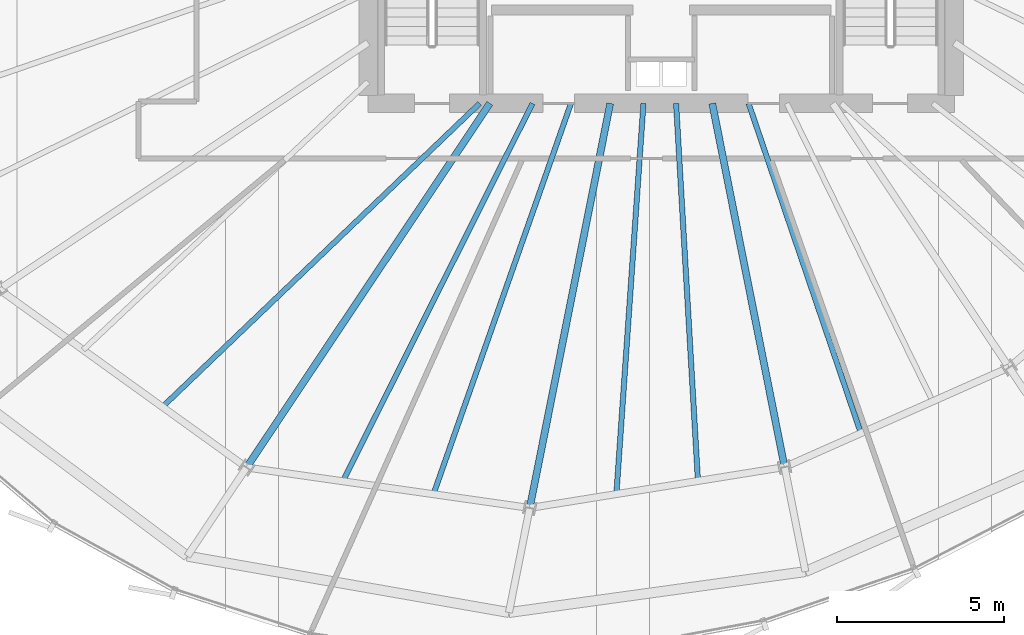
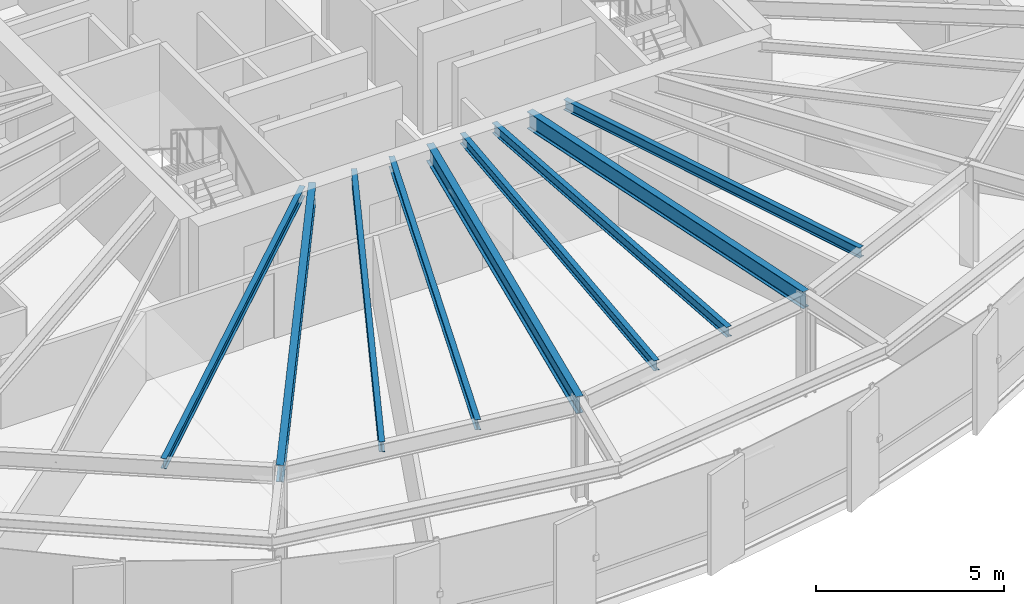
# One storey, part 7 of 32: 9 beams.
"""IFC4 building model written with IfcOpenShell, lengths in metres."""

from ifc_helpers import new_model, si_unit, direction, frame, origin, origin_2d, place, context, subcontext, project, spatial, i_section, extrude, source, transform, mapped, material, material_profile, profile_set, type_object, element, save


model = new_model("IFC4")

# Units and contexts
model_context = context("Model", 3, precision=1e-05, world=origin(), true_north=direction((0.0, 1.0)))
body_context = subcontext(model_context, "Body", "Model", "MODEL_VIEW")
ifc_project = project(units=[si_unit("LENGTHUNIT", "METRE"), si_unit("AREAUNIT", "SQUARE_METRE"), si_unit("VOLUMEUNIT", "CUBIC_METRE"), si_unit("PLANEANGLEUNIT", "RADIAN"), si_unit("MASSUNIT", "GRAM", prefix="KILO"), si_unit("THERMODYNAMICTEMPERATUREUNIT", "KELVIN")], contexts=[model_context])

# Site, building, storey
site_placement = place(None, origin())
site = spatial("IfcSite", under=ifc_project, at=site_placement, CompositionType="ELEMENT")
building_placement = place(site_placement, origin())
building = spatial("IfcBuilding", under=site, at=building_placement, Name="Kethvar Cultural Tower", CompositionType="ELEMENT")
storey_placement = place(building_placement, frame((0.0, 0.0, 160.75)))
storey = spatial("IfcBuildingStorey", under=building, at=storey_placement, Name="L41", CompositionType="ELEMENT", Elevation=160.75)

# Beams
ifc_material = material(Name="Steel S355J2", Category="steel")
ifc_material_profile_1 = material_profile(ifc_material, i_section(OverallWidth=0.2099609375, OverallDepth=0.550048828125, WebThickness=0.010986328125, FlangeThickness=0.01708984375, FilletRadius=0.02392578125, at=origin_2d()), Name="Steel S355J2 — IPE550")
ifc_profile_set_1 = profile_set([ifc_material_profile_1], Name="Steel S355J2 — IPE550")
beam_type_1 = type_object("IfcBeamType", Name="BM-IPE550", PredefinedType="BEAM", material=ifc_profile_set_1)
shared_shape_1 = source(origin(), body_context, "Body", "SweptSolid", [
    extrude(i_section(OverallWidth=0.2099609375, OverallDepth=0.550048828125, WebThickness=0.010986328125, FlangeThickness=0.01708984375, FilletRadius=0.02392578125, at=origin_2d()), origin(), (0.0, 0.0, 1.0), 13.147216796875),
])
beam_1_placement = place(storey_placement, frame((41.655029296875, 20.10009765625, 3.02294921875), z_axis=(-0.555565525446, -0.831472757783, 0.0), x_axis=(0.831472757783, -0.555565525446, 0.0)))
element("IfcBeam", 1, at=beam_1_placement, inside=storey, type_object=beam_type_1, Name="L41 Primary Radial Beam RB-11", PredefinedType="BEAM", context=body_context, shape_type="MappedRepresentation", body=[
    mapped(shared_shape_1, transform((0.0, 0.0, 0.0), scale=1.0)),
])
shared_shape_2 = source(origin(), body_context, "Body", "SweptSolid", [
    extrude(i_section(OverallWidth=0.2099609375, OverallDepth=0.550048828125, WebThickness=0.010986328125, FlangeThickness=0.01708984375, FilletRadius=0.02392578125, at=origin_2d()), origin(), (0.0, 0.0, 1.0), 12.384521484375),
])
beam_2_placement = place(storey_placement, frame((45.268310546875, 20.10009765625, 3.02294921875), z_axis=(-0.195084858678, -0.980786367113, 0.0), x_axis=(0.980786367113, -0.195084858678, 0.0)))
element("IfcBeam", 2, at=beam_2_placement, inside=storey, type_object=beam_type_1, Name="L41 Primary Radial Beam RB-12", PredefinedType="BEAM", context=body_context, shape_type="MappedRepresentation", body=[
    mapped(shared_shape_2, transform((0.0, 0.0, 0.0), scale=1.0)),
])
shared_shape_3 = source(origin(), body_context, "Body", "SweptSolid", [
    extrude(i_section(OverallWidth=0.2099609375, OverallDepth=0.550048828125, WebThickness=0.010986328125, FlangeThickness=0.01708984375, FilletRadius=0.02392578125, at=origin_2d()), origin(), (0.0, 0.0, 1.0), 11.131591796875),
])
beam_3_placement = place(storey_placement, frame((48.33154296875, 20.10009765625, 3.02294921875), z_axis=(0.195107998266, -0.980781764213, 0.0), x_axis=(0.980781764213, 0.195107998266, 0.0)))
element("IfcBeam", 3, at=beam_3_placement, inside=storey, type_object=beam_type_1, Name="L41 Primary Radial Beam RB-13", PredefinedType="BEAM", context=body_context, shape_type="MappedRepresentation", body=[
    mapped(shared_shape_3, transform((0.0, 0.0, 0.0), scale=1.0)),
])
ifc_material_profile_2 = material_profile(ifc_material, i_section(OverallWidth=0.159912109375, OverallDepth=0.330078125, WebThickness=0.007568359375, FlangeThickness=0.011474609375, FilletRadius=0.01806640625, at=origin_2d()), Name="Steel S355J2 — IPE330")
ifc_profile_set_2 = profile_set([ifc_material_profile_2], Name="Steel S355J2 — IPE330")
beam_type_2 = type_object("IfcBeamType", Name="BM-J330", PredefinedType="JOIST", material=ifc_profile_set_2)
shared_shape_4 = source(origin(), body_context, "Body", "SweptSolid", [
    extrude(i_section(OverallWidth=0.159912109375, OverallDepth=0.330078125, WebThickness=0.007568359375, FlangeThickness=0.011474609375, FilletRadius=0.01806640625, at=origin_2d()), origin(), (0.0, 0.0, 1.0), 13.1826171875),
])
beam_4_placement = place(storey_placement, frame((41.35009765625, 20.10009765625, 3.133056640625), z_axis=(-0.722573880181, -0.691293705801, 0.0), x_axis=(0.691293705801, -0.722573880181, 0.0)))
element("IfcBeam", 4, at=beam_4_placement, inside=storey, type_object=beam_type_2, Name="L41 Composite Floor Joist J-10B", PredefinedType="JOIST", context=body_context, shape_type="MappedRepresentation", body=[
    mapped(shared_shape_4, transform((0.0, 0.0, 0.0), scale=1.0)),
])
shared_shape_5 = source(origin(), body_context, "Body", "SweptSolid", [
    extrude(i_section(OverallWidth=0.159912109375, OverallDepth=0.330078125, WebThickness=0.007568359375, FlangeThickness=0.011474609375, FilletRadius=0.01806640625, at=origin_2d()), origin(), (0.0, 0.0, 1.0), 12.693603515625),
])
beam_5_placement = place(storey_placement, frame((42.935302734375, 20.10009765625, 3.133056640625), z_axis=(-0.448582495233, -0.893741430712, 0.0), x_axis=(0.893741430712, -0.448582495233, 0.0)))
element("IfcBeam", 5, at=beam_5_placement, inside=storey, type_object=beam_type_2, Name="L41 Composite Floor Joist J-11A", PredefinedType="JOIST", context=body_context, shape_type="MappedRepresentation", body=[
    mapped(shared_shape_5, transform((0.0, 0.0, 0.0), scale=1.0)),
])
shared_shape_6 = source(origin(), body_context, "Body", "SweptSolid", [
    extrude(i_section(OverallWidth=0.159912109375, OverallDepth=0.330078125, WebThickness=0.007568359375, FlangeThickness=0.011474609375, FilletRadius=0.01806640625, at=origin_2d()), origin(), (0.0, 0.0, 1.0), 12.4384765625),
])
beam_6_placement = place(storey_placement, frame((44.090576171875, 20.10009765625, 3.133056640625), z_axis=(-0.331923676994, -0.943306245421, 0.0), x_axis=(0.943306245421, -0.331923676994, 0.0)))
element("IfcBeam", 6, at=beam_6_placement, inside=storey, type_object=beam_type_2, Name="L41 Composite Floor Joist J-11B", PredefinedType="JOIST", context=body_context, shape_type="MappedRepresentation", body=[
    mapped(shared_shape_6, transform((0.0, 0.0, 0.0), scale=1.0)),
])
shared_shape_7 = source(origin(), body_context, "Body", "SweptSolid", [
    extrude(i_section(OverallWidth=0.159912109375, OverallDepth=0.330078125, WebThickness=0.007568359375, FlangeThickness=0.011474609375, FilletRadius=0.01806640625, at=origin_2d()), origin(), (0.0, 0.0, 1.0), 11.7568359375),
])
beam_7_placement = place(storey_placement, frame((46.266357421875, 20.10009765625, 3.133056640625), z_axis=(-0.069129203877, -0.997607715072, 0.0), x_axis=(0.997607715072, -0.069129203877, 0.0)))
element("IfcBeam", 7, at=beam_7_placement, inside=storey, type_object=beam_type_2, Name="L41 Composite Floor Joist J-12A", PredefinedType="JOIST", context=body_context, shape_type="MappedRepresentation", body=[
    mapped(shared_shape_7, transform((0.0, 0.0, 0.0), scale=1.0)),
])
shared_shape_8 = source(origin(), body_context, "Body", "SweptSolid", [
    extrude(i_section(OverallWidth=0.159912109375, OverallDepth=0.330078125, WebThickness=0.007568359375, FlangeThickness=0.011474609375, FilletRadius=0.01806640625, at=origin_2d()), origin(), (0.0, 0.0, 1.0), 11.354736328125),
])
beam_8_placement = place(storey_placement, frame((47.245849609375, 20.10009765625, 3.133056640625), z_axis=(0.057795585741, -0.998328438075, 0.0), x_axis=(0.998328438075, 0.057795585741, 0.0)))
element("IfcBeam", 8, at=beam_8_placement, inside=storey, type_object=beam_type_2, Name="L41 Composite Floor Joist J-12B", PredefinedType="JOIST", context=body_context, shape_type="MappedRepresentation", body=[
    mapped(shared_shape_8, transform((0.0, 0.0, 0.0), scale=1.0)),
])
shared_shape_9 = source(origin(), body_context, "Body", "SweptSolid", [
    extrude(i_section(OverallWidth=0.159912109375, OverallDepth=0.330078125, WebThickness=0.007568359375, FlangeThickness=0.011474609375, FilletRadius=0.01806640625, at=origin_2d()), origin(), (0.0, 0.0, 1.0), 10.45947265625),
])
beam_9_placement = place(storey_placement, frame((49.42236328125, 20.10009765625, 3.133056640625), z_axis=(0.322390188368, -0.94660687006, 0.0), x_axis=(0.94660687006, 0.322390188368, 0.0)))
element("IfcBeam", 9, at=beam_9_placement, inside=storey, type_object=beam_type_2, Name="L41 Composite Floor Joist J-13A", PredefinedType="JOIST", context=body_context, shape_type="MappedRepresentation", body=[
    mapped(shared_shape_9, transform((0.0, 0.0, 0.0), scale=1.0)),
])

save(model, "model.ifc")
